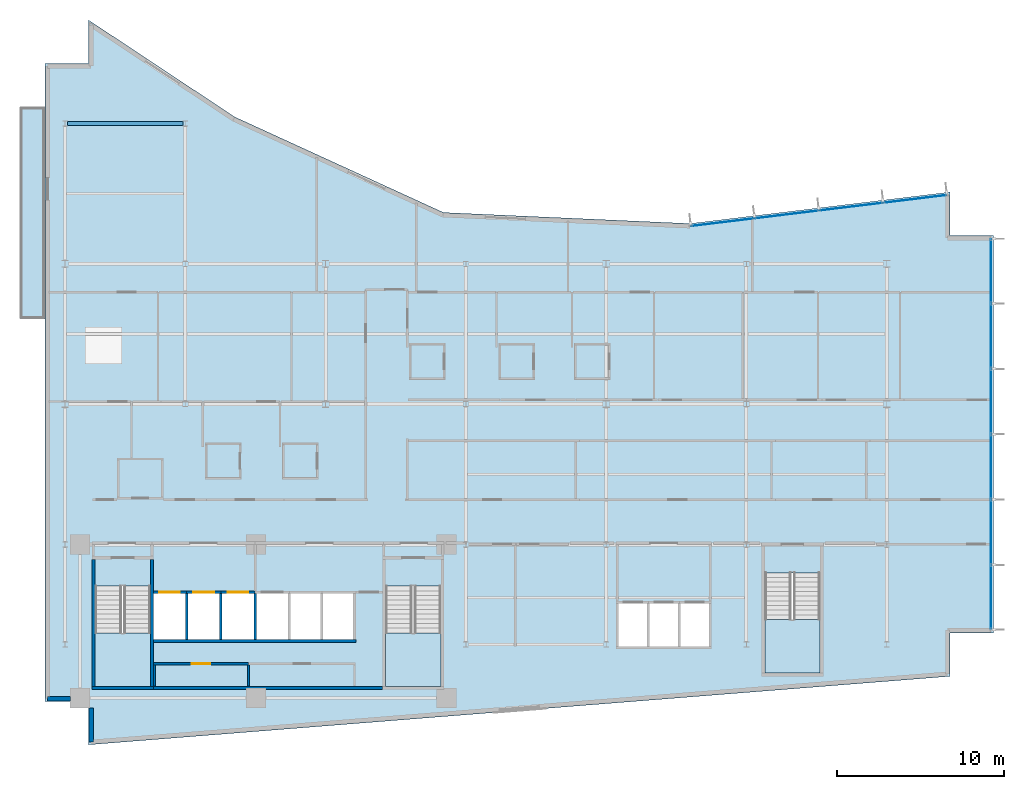
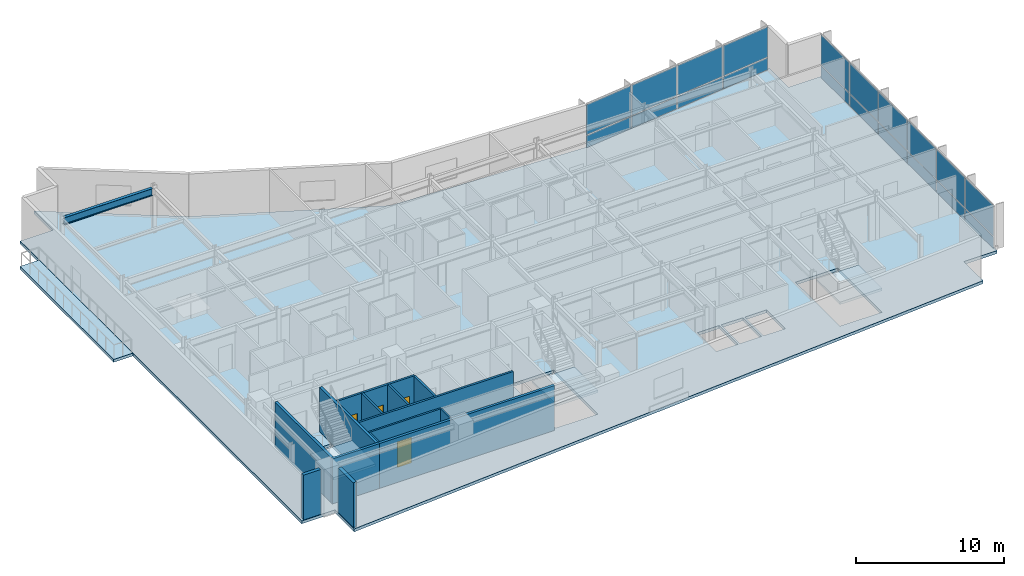
# One storey, part 9 of 19: 20 plates, 16 walls, 5 slabs, 4 doors, 1 beam, 4 openings, 5 elements without a shape of their own.
"""IFC4 building model written with IfcOpenShell, lengths in metres."""

from ifc_helpers import new_model, si_unit, direction, frame, frame_2d, origin, origin_2d, place, context, subcontext, project, spatial, polyline, rectangle, i_section, outline, extrude, material, layer, layer_set, material_profile, profile_set, type_object, element, fill, aggregate, save


model = new_model("IFC4")

# Units and contexts
model_context = context("Model", 3, precision=1e-05, world=origin(), true_north=direction((0.0, 1.0)))
body_context = subcontext(model_context, "Body", "Model", "MODEL_VIEW")
ifc_project = project(units=[si_unit("LENGTHUNIT", "METRE"), si_unit("AREAUNIT", "SQUARE_METRE"), si_unit("VOLUMEUNIT", "CUBIC_METRE"), si_unit("PLANEANGLEUNIT", "RADIAN"), si_unit("MASSUNIT", "GRAM", prefix="KILO")], contexts=[model_context])

# Site, building, storey
site_placement = place(None, origin())
site = spatial("IfcSite", under=ifc_project, at=site_placement, CompositionType="ELEMENT")
building_placement = place(site_placement, origin())
building = spatial("IfcBuilding", under=site, at=building_placement, Name="Varnakote Quay Hospital", CompositionType="ELEMENT")
storey_placement = place(building_placement, frame((0.0, 0.0, 162.60009765625)))
storey = spatial("IfcBuildingStorey", under=building, at=storey_placement, Name="L40", CompositionType="ELEMENT", Elevation=162.60009765625)

# Beam
ifc_material_1 = material(Name="Structural steel AS/NZS 3679.1 Grade 350 L0 (fy 340 MPa)", Category="steel")
ifc_material_profile = material_profile(ifc_material_1, i_section(OverallWidth=0.22802734375, OverallDepth=0.60205078125, WebThickness=0.010498046875, FlangeThickness=0.014892578125, FilletRadius=0.013916015625, at=origin_2d()), Name="610UB101")
ifc_profile_set = profile_set([ifc_material_profile], Name="Structural steel AS/NZS 3679.1 Grade 350 L0 (fy 340 MPa)")
beam_type = type_object("IfcBeamType", Name="BM-STL-610UB101", PredefinedType="BEAM", material=ifc_profile_set)
beam_placement = place(storey_placement, frame((1.353515625, 37.199951171875, 3.408935546875), z_axis=(1.0, 0.0, 0.0), x_axis=(0.0, 1.0, 0.0)))
element("IfcBeam", 1, at=beam_placement, inside=storey, type_object=beam_type, Name="L40 Primary Floor Beam", PredefinedType="BEAM", context=body_context, shape_type="SweptSolid", body=[
    extrude(i_section(OverallWidth=0.22802734375, OverallDepth=0.60205078125, WebThickness=0.010498046875, FlangeThickness=0.014892578125, FilletRadius=0.013916015625, at=origin_2d()), origin(), (0.0, 0.0, 1.0), 6.89306640625),
])

# Curtain wall, plates
ifc_material_2 = material(Name="Anodised aluminium 6063-T6 Bronze", Category="aluminium")
ifc_layer_1 = layer(ifc_material_2, 0.205078125)
ifc_layer_set_1 = layer_set([ifc_layer_1], Name="Anodised aluminium 6063-T6 Bronze")
curtain_wall_type = type_object("IfcCurtainWallType", Name="CW-SYS-3", PredefinedType="NOTDEFINED", material=ifc_layer_set_1)
curtain_wall_1_placement = place(storey_placement, origin())
curtain_wall_1 = element("IfcCurtainWall", 2, at=curtain_wall_1_placement, inside=storey, type_object=curtain_wall_type, Name="L40 Unitised Bronze Curtain Wall 1", PredefinedType="NOTDEFINED")
ifc_material_3 = material(Name="Double-glazed low-E solar glass", Category="glass")
ifc_layer_2 = layer(ifc_material_3, 0.028076171875)
ifc_layer_set_2 = layer_set([ifc_layer_2], Name="Double-glazed low-E solar glass")
plate_type = type_object("IfcPlateType", Name="CW-PNL-GLZ-28", PredefinedType="CURTAIN_PANEL", material=ifc_layer_set_2)
plate_1_placement = place(storey_placement, frame((56.639892578125, 8.83544921875, 0.07470703125), z_axis=(0.0, 0.0, 1.0), x_axis=(0.0, 1.0, 0.0)))
plate_1 = element("IfcPlate", 3, at=plate_1_placement, type_object=plate_type, Name="-3-L40-1 panel 1.1", PredefinedType="CURTAIN_PANEL", context=body_context, shape_type="SweptSolid", body=[
    extrude(rectangle(XDim=3.80078125, YDim=0.028076171875, at=origin_2d()), origin(), (0.0, 0.0, 1.0), 0.987548828125),
])
plate_2_placement = place(storey_placement, frame((56.639892578125, 8.83544921875, 1.137451171875), z_axis=(0.0, 0.0, 1.0), x_axis=(0.0, 1.0, 0.0)))
plate_2 = element("IfcPlate", 4, at=plate_2_placement, type_object=plate_type, Name="-3-L40-1 panel 1.2", PredefinedType="CURTAIN_PANEL", context=body_context, shape_type="SweptSolid", body=[
    extrude(rectangle(XDim=3.80078125, YDim=0.028076171875, at=origin_2d()), origin(), (0.0, 0.0, 1.0), 2.49755859375),
])
plate_3_placement = place(storey_placement, frame((56.639892578125, 12.72998046875, 0.07470703125), z_axis=(0.0, 0.0, 1.0), x_axis=(0.0, 1.0, 0.0)))
plate_3 = element("IfcPlate", 5, at=plate_3_placement, type_object=plate_type, Name="-3-L40-1 panel 2.1", PredefinedType="CURTAIN_PANEL", context=body_context, shape_type="SweptSolid", body=[
    extrude(rectangle(XDim=3.83837890625, YDim=0.028076171875, at=origin_2d()), origin(), (0.0, 0.0, 1.0), 0.987548828125),
])
plate_4_placement = place(storey_placement, frame((56.639892578125, 12.72998046875, 1.137451171875), z_axis=(0.0, 0.0, 1.0), x_axis=(0.0, 1.0, 0.0)))
plate_4 = element("IfcPlate", 6, at=plate_4_placement, type_object=plate_type, Name="-3-L40-1 panel 2.2", PredefinedType="CURTAIN_PANEL", context=body_context, shape_type="SweptSolid", body=[
    extrude(rectangle(XDim=3.83837890625, YDim=0.028076171875, at=origin_2d()), origin(), (0.0, 0.0, 1.0), 2.49755859375),
])
plate_5_placement = place(storey_placement, frame((56.639892578125, 16.643310546875, 0.07470703125), z_axis=(0.0, 0.0, 1.0), x_axis=(0.0, 1.0, 0.0)))
plate_5 = element("IfcPlate", 7, at=plate_5_placement, type_object=plate_type, Name="-3-L40-1 panel 3.1", PredefinedType="CURTAIN_PANEL", context=body_context, shape_type="SweptSolid", body=[
    extrude(rectangle(XDim=3.83837890625, YDim=0.028076171875, at=origin_2d()), origin(), (0.0, 0.0, 1.0), 0.987548828125),
])
plate_6_placement = place(storey_placement, frame((56.639892578125, 16.643310546875, 1.137451171875), z_axis=(0.0, 0.0, 1.0), x_axis=(0.0, 1.0, 0.0)))
plate_6 = element("IfcPlate", 8, at=plate_6_placement, type_object=plate_type, Name="-3-L40-1 panel 3.2", PredefinedType="CURTAIN_PANEL", context=body_context, shape_type="SweptSolid", body=[
    extrude(rectangle(XDim=3.83837890625, YDim=0.028076171875, at=origin_2d()), origin(), (0.0, 0.0, 1.0), 2.49755859375),
])
plate_7_placement = place(storey_placement, frame((56.639892578125, 20.556640625, 0.07470703125), z_axis=(0.0, 0.0, 1.0), x_axis=(0.0, 1.0, 0.0)))
plate_7 = element("IfcPlate", 9, at=plate_7_placement, type_object=plate_type, Name="-3-L40-1 panel 4.1", PredefinedType="CURTAIN_PANEL", context=body_context, shape_type="SweptSolid", body=[
    extrude(rectangle(XDim=3.83837890625, YDim=0.028076171875, at=origin_2d()), origin(), (0.0, 0.0, 1.0), 0.987548828125),
])
plate_8_placement = place(storey_placement, frame((56.639892578125, 20.556640625, 1.137451171875), z_axis=(0.0, 0.0, 1.0), x_axis=(0.0, 1.0, 0.0)))
plate_8 = element("IfcPlate", 10, at=plate_8_placement, type_object=plate_type, Name="-3-L40-1 panel 4.2", PredefinedType="CURTAIN_PANEL", context=body_context, shape_type="SweptSolid", body=[
    extrude(rectangle(XDim=3.83837890625, YDim=0.028076171875, at=origin_2d()), origin(), (0.0, 0.0, 1.0), 2.49755859375),
])
plate_9_placement = place(storey_placement, frame((56.639892578125, 24.469970703125, 0.07470703125), z_axis=(0.0, 0.0, 1.0), x_axis=(0.0, 1.0, 0.0)))
plate_9 = element("IfcPlate", 11, at=plate_9_placement, type_object=plate_type, Name="-3-L40-1 panel 5.1", PredefinedType="CURTAIN_PANEL", context=body_context, shape_type="SweptSolid", body=[
    extrude(rectangle(XDim=3.83837890625, YDim=0.028076171875, at=origin_2d()), origin(), (0.0, 0.0, 1.0), 0.987548828125),
])
plate_10_placement = place(storey_placement, frame((56.639892578125, 24.469970703125, 1.137451171875), z_axis=(0.0, 0.0, 1.0), x_axis=(0.0, 1.0, 0.0)))
plate_10 = element("IfcPlate", 12, at=plate_10_placement, type_object=plate_type, Name="-3-L40-1 panel 5.2", PredefinedType="CURTAIN_PANEL", context=body_context, shape_type="SweptSolid", body=[
    extrude(rectangle(XDim=3.83837890625, YDim=0.028076171875, at=origin_2d()), origin(), (0.0, 0.0, 1.0), 2.49755859375),
])
plate_11_placement = place(storey_placement, frame((56.639892578125, 28.364501953125, 0.07470703125), z_axis=(0.0, 0.0, 1.0), x_axis=(0.0, 1.0, 0.0)))
plate_11 = element("IfcPlate", 13, at=plate_11_placement, type_object=plate_type, Name="-3-L40-1 panel 6.1", PredefinedType="CURTAIN_PANEL", context=body_context, shape_type="SweptSolid", body=[
    extrude(rectangle(XDim=3.80078125, YDim=0.028076171875, at=origin_2d()), origin(), (0.0, 0.0, 1.0), 0.987548828125),
])
plate_12_placement = place(storey_placement, frame((56.639892578125, 28.364501953125, 1.137451171875), z_axis=(0.0, 0.0, 1.0), x_axis=(0.0, 1.0, 0.0)))
plate_12 = element("IfcPlate", 14, at=plate_12_placement, type_object=plate_type, Name="-3-L40-1 panel 6.2", PredefinedType="CURTAIN_PANEL", context=body_context, shape_type="SweptSolid", body=[
    extrude(rectangle(XDim=3.80078125, YDim=0.028076171875, at=origin_2d()), origin(), (0.0, 0.0, 1.0), 2.49755859375),
])
aggregate(curtain_wall_1, [plate_1, plate_2, plate_3, plate_4, plate_5, plate_6, plate_7, plate_8, plate_9, plate_10, plate_11, plate_12])

curtain_wall_2_placement = place(storey_placement, origin())
curtain_wall_2 = element("IfcCurtainWall", 15, at=curtain_wall_2_placement, inside=storey, type_object=curtain_wall_type, Name="L40 Unitised Bronze Curtain Wall 2", PredefinedType="NOTDEFINED")
plate_13_placement = place(storey_placement, frame((52.09521484375, 32.68359375, 0.07470703125), z_axis=(0.0, 0.0, 1.0), x_axis=(-0.992734295067, -0.12032713492, 0.0)))
plate_13 = element("IfcPlate", 16, at=plate_13_placement, type_object=plate_type, Name="-3-L40-2 panel 1.1", PredefinedType="CURTAIN_PANEL", context=body_context, shape_type="SweptSolid", body=[
    extrude(rectangle(XDim=3.76806640625, YDim=0.028076171875, at=origin_2d()), origin(), (0.0, 0.0, 1.0), 0.987548828125),
])
plate_14_placement = place(storey_placement, frame((52.09521484375, 32.68359375, 1.137451171875), z_axis=(0.0, 0.0, 1.0), x_axis=(-0.992734295067, -0.12032713492, 0.0)))
plate_14 = element("IfcPlate", 17, at=plate_14_placement, type_object=plate_type, Name="-3-L40-2 panel 1.2", PredefinedType="CURTAIN_PANEL", context=body_context, shape_type="SweptSolid", body=[
    extrude(rectangle(XDim=3.76806640625, YDim=0.028076171875, at=origin_2d()), origin(), (0.0, 0.0, 1.0), 2.49755859375),
])
plate_15_placement = place(storey_placement, frame((48.26123046875, 32.218994140625, 0.07470703125), z_axis=(0.0, 0.0, 1.0), x_axis=(-0.992734295067, -0.12032713492, 0.0)))
plate_15 = element("IfcPlate", 18, at=plate_15_placement, type_object=plate_type, Name="-3-L40-2 panel 2.1", PredefinedType="CURTAIN_PANEL", context=body_context, shape_type="SweptSolid", body=[
    extrude(rectangle(XDim=3.8056640625, YDim=0.028076171875, at=origin_2d()), origin(), (0.0, 0.0, 1.0), 0.987548828125),
])
plate_16_placement = place(storey_placement, frame((48.26123046875, 32.218994140625, 1.137451171875), z_axis=(0.0, 0.0, 1.0), x_axis=(-0.992734295067, -0.12032713492, 0.0)))
plate_16 = element("IfcPlate", 19, at=plate_16_placement, type_object=plate_type, Name="-3-L40-2 panel 2.2", PredefinedType="CURTAIN_PANEL", context=body_context, shape_type="SweptSolid", body=[
    extrude(rectangle(XDim=3.8056640625, YDim=0.028076171875, at=origin_2d()), origin(), (0.0, 0.0, 1.0), 2.49755859375),
])
plate_17_placement = place(storey_placement, frame((44.40869140625, 31.751953125, 0.07470703125), z_axis=(0.0, 0.0, 1.0), x_axis=(-0.992734295067, -0.12032713492, 0.0)))
plate_17 = element("IfcPlate", 20, at=plate_17_placement, type_object=plate_type, Name="-3-L40-2 panel 3.1", PredefinedType="CURTAIN_PANEL", context=body_context, shape_type="SweptSolid", body=[
    extrude(rectangle(XDim=3.8056640625, YDim=0.028076171875, at=origin_2d()), origin(), (0.0, 0.0, 1.0), 0.987548828125),
])
plate_18_placement = place(storey_placement, frame((44.40869140625, 31.751953125, 1.137451171875), z_axis=(0.0, 0.0, 1.0), x_axis=(-0.992734295067, -0.12032713492, 0.0)))
plate_18 = element("IfcPlate", 21, at=plate_18_placement, type_object=plate_type, Name="-3-L40-2 panel 3.2", PredefinedType="CURTAIN_PANEL", context=body_context, shape_type="SweptSolid", body=[
    extrude(rectangle(XDim=3.8056640625, YDim=0.028076171875, at=origin_2d()), origin(), (0.0, 0.0, 1.0), 2.49755859375),
])
plate_19_placement = place(storey_placement, frame((40.574951171875, 31.287353515625, 0.07470703125), z_axis=(0.0, 0.0, 1.0), x_axis=(-0.992734295067, -0.12032713492, 0.0)))
plate_19 = element("IfcPlate", 22, at=plate_19_placement, type_object=plate_type, Name="-3-L40-2 panel 4.1", PredefinedType="CURTAIN_PANEL", context=body_context, shape_type="SweptSolid", body=[
    extrude(rectangle(XDim=3.76806640625, YDim=0.028076171875, at=origin_2d()), origin(), (0.0, 0.0, 1.0), 0.987548828125),
])
plate_20_placement = place(storey_placement, frame((40.574951171875, 31.287353515625, 1.137451171875), z_axis=(0.0, 0.0, 1.0), x_axis=(-0.992734295067, -0.12032713492, 0.0)))
plate_20 = element("IfcPlate", 23, at=plate_20_placement, type_object=plate_type, Name="-3-L40-2 panel 4.2", PredefinedType="CURTAIN_PANEL", context=body_context, shape_type="SweptSolid", body=[
    extrude(rectangle(XDim=3.76806640625, YDim=0.028076171875, at=origin_2d()), origin(), (0.0, 0.0, 1.0), 2.49755859375),
])
aggregate(curtain_wall_2, [plate_13, plate_14, plate_15, plate_16, plate_17, plate_18, plate_19, plate_20])

# Stair, slab
ifc_material_4 = material(Name="Concrete N40 (f'c 40 MPa)", Category="concrete")
stair_type = type_object("IfcStairType", Name="STR-CORE-1580", PredefinedType="HALF_TURN_STAIR", material=ifc_material_4)
stair_1_placement = place(storey_placement, origin())
stair_1 = element("IfcStair", 24, at=stair_1_placement, inside=storey, type_object=stair_type, Name="L40 Fire-Isolated Exit Stair ST-01", PredefinedType="HALF_TURN_STAIR")
ifc_material_5 = material(Name="Concrete N40 (f'c 40 MPa)", Category="concrete")
ifc_layer_3 = layer(ifc_material_5, 0.199951171875)
ifc_layer_set_3 = layer_set([ifc_layer_3], Name="Concrete N40 (f'c 40 MPa)")
slab_type_1 = type_object("IfcSlabType", Name="SLB-STAIR-LND-200", PredefinedType="LANDING", material=ifc_layer_set_3)
slab_1_placement = place(storey_placement, frame((0.0, 0.0, 1.77490234375)))
slab_1 = element("IfcSlab", 25, at=slab_1_placement, type_object=slab_type_1, Name="ST-01 landing 1", PredefinedType="LANDING", context=body_context, shape_type="SweptSolid", body=[
    extrude(outline(polyline([(3.0, 6.699951171875), (3.0, 3.5), (6.300048828125, 3.5), (6.300048828125, 6.699951171875), (3.0, 6.699951171875)])), origin(), (0.0, 0.0, 1.0), 0.199951171875),
])
aggregate(stair_1, [slab_1])

stair_2_placement = place(storey_placement, origin())
stair_2 = element("IfcStair", 26, at=stair_2_placement, inside=storey, type_object=stair_type, Name="L40 Fire-Isolated Exit Stair ST-02", PredefinedType="HALF_TURN_STAIR")
slab_2_placement = place(storey_placement, frame((0.0, 0.0, 1.77490234375)))
slab_2 = element("IfcSlab", 27, at=slab_2_placement, type_object=slab_type_1, Name="ST-02 landing 1", PredefinedType="LANDING", context=body_context, shape_type="SweptSolid", body=[
    extrude(outline(polyline([(20.39990234375, 6.699951171875), (20.39990234375, 3.5), (23.699951171875, 3.5), (23.699951171875, 6.699951171875), (20.39990234375, 6.699951171875)])), origin(), (0.0, 0.0, 1.0), 0.199951171875),
])
aggregate(stair_2, [slab_2])

stair_3_placement = place(storey_placement, origin())
stair_3 = element("IfcStair", 28, at=stair_3_placement, inside=storey, type_object=stair_type, Name="L40 Fire-Isolated Exit Stair ST-03", PredefinedType="HALF_TURN_STAIR")
slab_3_placement = place(storey_placement, frame((0.0, 0.0, 1.77490234375)))
slab_3 = element("IfcSlab", 29, at=slab_3_placement, type_object=slab_type_1, Name="ST-03 landing 1", PredefinedType="LANDING", context=body_context, shape_type="SweptSolid", body=[
    extrude(outline(polyline([(43.10009765625, 7.5), (43.10009765625, 4.300048828125), (46.39990234375, 4.300048828125), (46.39990234375, 7.5), (43.10009765625, 7.5)])), origin(), (0.0, 0.0, 1.0), 0.199951171875),
])
aggregate(stair_3, [slab_3])

# Slabs
ifc_material_6 = material(Name="Concrete N50 (f'c 50 MPa)", Category="concrete")
ifc_layer_4 = layer(ifc_material_6, 0.239990234375)
ifc_layer_set_4 = layer_set([ifc_layer_4], Name="Concrete N50 (f'c 50 MPa)")
slab_type_2 = type_object("IfcSlabType", Name="SLB-TERR-200", PredefinedType="FLOOR", material=ifc_layer_set_4)
slab_4_placement = place(storey_placement, frame((0.0, 0.0, -0.239990234375)))
element("IfcSlab", 30, at=slab_4_placement, inside=storey, type_object=slab_type_2, Name="L40 Waterfront Healing Terrace Slab", PredefinedType="FLOOR", context=body_context, shape_type="SweptSolid", body=[
    extrude(outline(polyline([(0.00390625, 25.5), (0.00390625, 38.199951171875), (-1.5, 38.199951171875), (-1.5, 25.5), (0.00390625, 25.5)])), origin(), (0.0, 0.0, 1.0), 0.239990234375),
])
ifc_material_7 = material(Name="Concrete N50 (f'c 50 MPa)", Category="concrete")
ifc_layer_5 = layer(ifc_material_7, 0.239990234375)
ifc_layer_set_5 = layer_set([ifc_layer_5], Name="Concrete N50 (f'c 50 MPa)")
slab_type_3 = type_object("IfcSlabType", Name="SLB-WARD-200", PredefinedType="FLOOR", material=ifc_layer_set_5)
slab_5_placement = place(storey_placement, frame((0.0, 0.0, -0.239990234375)))
element("IfcSlab", 31, at=slab_5_placement, inside=storey, type_object=slab_type_3, Name="L40 Primary Floor Slab", PredefinedType="FLOOR", context=body_context, shape_type="SweptSolid", body=[
    extrude(outline(polyline([(0.0, 2.60009765625), (2.60009765625, 2.60009765625), (2.60009765625, 0.0), (54.199951171875, 4.10009765625), (54.199951171875, 6.699951171875), (56.800048828125, 6.699951171875), (56.800048828125, 30.5), (54.199951171875, 30.5), (54.199951171875, 33.10009765625), (38.6240234375, 31.2119140625), (23.85595703125, 31.8740234375), (11.360107421875, 37.595947265625), (2.60009765625, 43.39990234375), (2.60009765625, 40.800048828125), (0.0, 40.800048828125), (0.0, 2.60009765625)]), holes=[polyline([(3.0, 3.5), (6.300048828125, 3.5), (6.300048828125, 9.49951171875), (3.0, 9.49951171875), (3.0, 3.5)]), polyline([(20.39990234375, 3.5), (23.699951171875, 3.5), (23.699951171875, 9.49951171875), (20.39990234375, 9.49951171875), (20.39990234375, 3.5)]), polyline([(43.10009765625, 4.300048828125), (46.39990234375, 4.300048828125), (46.39990234375, 10.29931640625), (43.10009765625, 10.29931640625), (43.10009765625, 4.300048828125)]), polyline([(6.5, 6.300048828125), (8.39990234375, 6.300048828125), (8.39990234375, 9.050048828125), (6.5, 9.050048828125), (6.5, 6.300048828125)]), polyline([(8.550048828125, 6.300048828125), (10.449951171875, 6.300048828125), (10.449951171875, 9.050048828125), (8.550048828125, 9.050048828125), (8.550048828125, 6.300048828125)]), polyline([(10.60009765625, 6.300048828125), (12.5, 6.300048828125), (12.5, 9.050048828125), (10.60009765625, 9.050048828125), (10.60009765625, 6.300048828125)]), polyline([(12.64990234375, 6.300048828125), (14.550048828125, 6.300048828125), (14.550048828125, 9.050048828125), (12.64990234375, 9.050048828125), (12.64990234375, 6.300048828125)]), polyline([(14.699951171875, 6.300048828125), (16.5, 6.300048828125), (16.5, 9.050048828125), (14.699951171875, 9.050048828125), (14.699951171875, 6.300048828125)]), polyline([(16.64990234375, 6.300048828125), (18.449951171875, 6.300048828125), (18.449951171875, 9.050048828125), (16.64990234375, 9.050048828125), (16.64990234375, 6.300048828125)]), polyline([(34.35009765625, 5.89990234375), (36.050048828125, 5.89990234375), (36.050048828125, 8.449951171875), (34.35009765625, 8.449951171875), (34.35009765625, 5.89990234375)]), polyline([(36.199951171875, 5.89990234375), (37.89990234375, 5.89990234375), (37.89990234375, 8.449951171875), (36.199951171875, 8.449951171875), (36.199951171875, 5.89990234375)]), polyline([(38.050048828125, 5.89990234375), (39.75, 5.89990234375), (39.75, 8.449951171875), (38.050048828125, 8.449951171875), (38.050048828125, 5.89990234375)])]), origin(), (0.0, 0.0, 1.0), 0.239990234375),
])

# Walls
ifc_material_8 = material(Name="Concrete N65 (f'c 65 MPa)", Category="concrete")
ifc_layer_6 = layer(ifc_material_8, 0.199951171875)
ifc_layer_set_6 = layer_set([ifc_layer_6], Name="Concrete N65 (f'c 65 MPa)")
wall_type_1 = type_object("IfcWallType", Name="WL-CORE-N65-200", PredefinedType="SHEAR", material=ifc_layer_set_6)
wall_1_placement = place(storey_placement, frame((6.5, 3.39990234375, 0.0), z_axis=(0.0, 0.0, 1.0), x_axis=(1.0, 0.0, 0.0)))
element("IfcWall", 32, at=wall_1_placement, inside=storey, type_object=wall_type_1, Name="L40 Rear Core South Shear Wall", PredefinedType="SHEAR", context=body_context, shape_type="SweptSolid", body=[
    extrude(rectangle(XDim=13.699951171875, YDim=0.199951171875, at=frame_2d((6.85009765625, 0.0))), origin(), (0.0, 0.0, 1.0), 3.7099609375),
])
ifc_material_9 = material(Name="Precast concrete N50 (f'c 50 MPa)", Category="concrete")
ifc_layer_7 = layer(ifc_material_9, 0.260009765625)
ifc_layer_set_7 = layer_set([ifc_layer_7], Name="Precast concrete N50 (f'c 50 MPa)")
wall_type_2 = type_object("IfcWallType", Name="WL-EXT-BRICK-260", PredefinedType="STANDARD", material=ifc_layer_set_7)
wall_2_placement = place(storey_placement, frame((2.760009765625, 2.215087890625, 0.0), z_axis=(0.0, 0.0, 1.0), x_axis=(0.0, -1.0, 0.0)))
element("IfcWall", 33, at=wall_2_placement, inside=storey, type_object=wall_type_2, Name="L40 Brick-Faced Precast Exterior Wall", PredefinedType="STANDARD", context=body_context, shape_type="SweptSolid", body=[
    extrude(rectangle(XDim=2.0419921875, YDim=0.260009765625, at=frame_2d((1.02099609375, 0.0))), origin(), (0.0, 0.0, 1.0), 3.7099609375),
])
wall_3_placement = place(storey_placement, frame((0.159912109375, 2.760009765625, 0.0), z_axis=(0.0, 0.0, 1.0), x_axis=(1.0, 0.0, 0.0)))
element("IfcWall", 34, at=wall_3_placement, inside=storey, type_object=wall_type_2, Name="L40 Brick-Faced Precast Exterior Wall", PredefinedType="STANDARD", context=body_context, shape_type="SweptSolid", body=[
    extrude(rectangle(XDim=1.35498046875, YDim=0.260009765625, at=frame_2d((0.677490234375, 0.0))), origin(), (0.0, 0.0, 1.0), 3.7099609375),
])
ifc_material_10 = material(Name="Concrete N50 (f'c 50 MPa)", Category="concrete")
ifc_layer_8 = layer(ifc_material_10, 0.14990234375)
ifc_layer_set_8 = layer_set([ifc_layer_8], Name="Concrete N50 (f'c 50 MPa)")
wall_type_3 = type_object("IfcWallType", Name="WL-SHAFT-N50-150", PredefinedType="SHEAR", material=ifc_layer_set_8)
for number, where, z_axis, x_axis, name in (
    (35, (8.47509765625, 6.300048828125, 0.0), (0.0, 0.0, 1.0), (0.0, 1.0, 0.0), "L40 LF-FF1 Hoistway Divider Wall"),
    (36, (10.52490234375, 6.300048828125, 0.0), (0.0, 0.0, 1.0), (0.0, 1.0, 0.0), "L40 LF-FF2 Hoistway Divider Wall"),
    (37, (12.574951171875, 6.300048828125, 0.0), (0.0, 0.0, 1.0), (0.0, 1.0, 0.0), "L40 LF-SV1 Hoistway Divider Wall"),
):
    element("IfcWall", number, at=place(storey_placement, frame(where, z_axis=z_axis, x_axis=x_axis)), inside=storey, type_object=wall_type_3, Name=name, PredefinedType="SHEAR", context=body_context, shape_type="SweptSolid", body=[
        extrude(rectangle(XDim=2.75, YDim=0.14990234375, at=frame_2d((1.375, 0.0))), origin(), (0.0, 0.0, 1.0), 3.7099609375),
    ])
ifc_material_11 = material(Name="Concrete N50 (f'c 50 MPa)", Category="concrete")
ifc_layer_9 = layer(ifc_material_11, 0.159912109375)
ifc_layer_set_9 = layer_set([ifc_layer_9], Name="Concrete N50 (f'c 50 MPa)")
wall_type_4 = type_object("IfcWallType", Name="WL-SHAFT-N50-160", PredefinedType="SHEAR", material=ifc_layer_set_9)
wall_4_placement = place(storey_placement, frame((6.5, 6.219970703125, 0.0), z_axis=(0.0, 0.0, 1.0), x_axis=(1.0, 0.0, 0.0)))
element("IfcWall", 38, at=wall_4_placement, inside=storey, type_object=wall_type_4, Name="L40 REAR Lift Bank Back Shear Wall", PredefinedType="SHEAR", context=body_context, shape_type="SweptSolid", body=[
    extrude(rectangle(XDim=12.110107421875, YDim=0.159912109375, at=frame_2d((6.05517578125, 0.0))), origin(), (0.0, 0.0, 1.0), 3.7099609375),
])

# Wall, opening, door
wall_5_placement = place(storey_placement, frame((6.5, 9.1298828125, 0.0), z_axis=(0.0, 0.0, 1.0), x_axis=(1.0, 0.0, 0.0)))
wall_5 = element("IfcWall", 39, at=wall_5_placement, inside=storey, type_object=wall_type_4, Name="L40 LF-FF1 Hoistway Front Wall", PredefinedType="SHEAR", context=body_context, shape_type="SweptSolid", body=[
    extrude(rectangle(XDim=1.97509765625, YDim=0.159912109375, at=frame_2d((0.987548828125, 0.0))), origin(), (0.0, 0.0, 1.0), 3.7099609375),
])
opening_1_placement = place(wall_5_placement, frame((0.324951171875, 0.0, 0.0)))
opening_1 = element("IfcOpeningElement", 40, at=opening_1_placement, cuts=wall_5, Name="Opening LD-FF1-L40", PredefinedType="OPENING", context=body_context, shape_type="SweptSolid", body=[
    extrude(rectangle(XDim=1.25, YDim=2.14990234375, at=frame_2d((0.625, 1.074951171875))), frame((0.0, 0.08984375, 0.0), z_axis=(0.0, -1.0, 0.0), x_axis=(1.0, 0.0, 0.0)), (0.0, 0.0, 1.0), 0.179931640625),
])
ifc_material_12 = material(Name="Stainless steel lift landing sliding door", Category="steel")
door_type_1 = type_object("IfcDoorType", Name="DR-LIFT-LD-1250x2150", OperationType="NOTDEFINED", PredefinedType="DOOR", material=ifc_material_12)
door_1_placement = place(opening_1_placement, origin())
door_1 = element("IfcDoor", 41, at=door_1_placement, inside=storey, type_object=door_type_1, Name="L40 LF-FF1 Lift Landing Sliding Door", OperationType="SLIDING_TO_LEFT", OverallHeight=2.14990234375, OverallWidth=1.25, PredefinedType="DOOR", context=body_context, shape_type="SweptSolid", body=[
    extrude(rectangle(XDim=1.25, YDim=2.14990234375, at=frame_2d((0.625, 1.074951171875))), frame((0.0, 0.02490234375, 0.0), z_axis=(0.0, -1.0, 0.0), x_axis=(1.0, 0.0, 0.0)), (0.0, 0.0, 1.0), 0.050048828125),
])
fill(opening_1, door_1)

wall_6_placement = place(storey_placement, frame((8.47509765625, 9.1298828125, 0.0), z_axis=(0.0, 0.0, 1.0), x_axis=(1.0, 0.0, 0.0)))
wall_6 = element("IfcWall", 42, at=wall_6_placement, inside=storey, type_object=wall_type_4, Name="L40 LF-FF2 Hoistway Front Wall", PredefinedType="SHEAR", context=body_context, shape_type="SweptSolid", body=[
    extrude(rectangle(XDim=2.0498046875, YDim=0.159912109375, at=frame_2d((1.02490234375, 0.0))), origin(), (0.0, 0.0, 1.0), 3.7099609375),
])
opening_2_placement = place(wall_6_placement, frame((0.39990234375, 0.0, 0.0)))
opening_2 = element("IfcOpeningElement", 43, at=opening_2_placement, cuts=wall_6, Name="Opening LD-FF2-L40", PredefinedType="OPENING", context=body_context, shape_type="SweptSolid", body=[
    extrude(rectangle(XDim=1.25, YDim=2.14990234375, at=frame_2d((0.625, 1.074951171875))), frame((0.0, 0.08984375, 0.0), z_axis=(0.0, -1.0, 0.0), x_axis=(1.0, 0.0, 0.0)), (0.0, 0.0, 1.0), 0.179931640625),
])
door_2_placement = place(opening_2_placement, origin())
door_2 = element("IfcDoor", 44, at=door_2_placement, inside=storey, type_object=door_type_1, Name="L40 LF-FF2 Lift Landing Sliding Door", OperationType="SLIDING_TO_LEFT", OverallHeight=2.14990234375, OverallWidth=1.25, PredefinedType="DOOR", context=body_context, shape_type="SweptSolid", body=[
    extrude(rectangle(XDim=1.25, YDim=2.14990234375, at=frame_2d((0.625, 1.074951171875))), frame((0.0, 0.02490234375, 0.0), z_axis=(0.0, -1.0, 0.0), x_axis=(1.0, 0.0, 0.0)), (0.0, 0.0, 1.0), 0.050048828125),
])
fill(opening_2, door_2)

wall_7_placement = place(storey_placement, frame((10.52490234375, 9.1298828125, 0.0), z_axis=(0.0, 0.0, 1.0), x_axis=(1.0, 0.0, 0.0)))
wall_7 = element("IfcWall", 45, at=wall_7_placement, inside=storey, type_object=wall_type_4, Name="L40 LF-SV1 Hoistway Front Wall", PredefinedType="SHEAR", context=body_context, shape_type="SweptSolid", body=[
    extrude(rectangle(XDim=2.050048828125, YDim=0.159912109375, at=frame_2d((1.02490234375, 0.0))), origin(), (0.0, 0.0, 1.0), 3.7099609375),
])
opening_3_placement = place(wall_7_placement, frame((0.39990234375, 0.0, 0.0)))
opening_3 = element("IfcOpeningElement", 46, at=opening_3_placement, cuts=wall_7, Name="Opening LD-SV1-L40", PredefinedType="OPENING", context=body_context, shape_type="SweptSolid", body=[
    extrude(rectangle(XDim=1.25, YDim=2.14990234375, at=frame_2d((0.625, 1.074951171875))), frame((0.0, 0.08984375, 0.0), z_axis=(0.0, -1.0, 0.0), x_axis=(1.0, 0.0, 0.0)), (0.0, 0.0, 1.0), 0.179931640625),
])
door_3_placement = place(opening_3_placement, origin())
door_3 = element("IfcDoor", 47, at=door_3_placement, inside=storey, type_object=door_type_1, Name="L40 LF-SV1 Lift Landing Sliding Door", OperationType="SLIDING_TO_LEFT", OverallHeight=2.14990234375, OverallWidth=1.25, PredefinedType="DOOR", context=body_context, shape_type="SweptSolid", body=[
    extrude(rectangle(XDim=1.25, YDim=2.14990234375, at=frame_2d((0.625, 1.074951171875))), frame((0.0, 0.02490234375, 0.0), z_axis=(0.0, -1.0, 0.0), x_axis=(1.0, 0.0, 0.0)), (0.0, 0.0, 1.0), 0.050048828125),
])
fill(opening_3, door_3)

# Walls
ifc_material_13 = material(Name="Concrete N50 (f'c 50 MPa)", Category="concrete")
ifc_layer_10 = layer(ifc_material_13, 0.199951171875)
ifc_layer_set_10 = layer_set([ifc_layer_10], Name="Concrete N50 (f'c 50 MPa)")
wall_type_5 = type_object("IfcWallType", Name="WL-SHAFT-N50-200", PredefinedType="SHEAR", material=ifc_layer_set_10)
wall_8_placement = place(storey_placement, frame((2.800048828125, 3.39990234375, 0.0), z_axis=(0.0, 0.0, 1.0), x_axis=(1.0, 0.0, 0.0)))
element("IfcWall", 48, at=wall_8_placement, inside=storey, type_object=wall_type_5, Name="L40 Stair ST1 South Shaft Wall", PredefinedType="SHEAR", context=body_context, shape_type="SweptSolid", body=[
    extrude(rectangle(XDim=3.699951171875, YDim=0.199951171875, at=frame_2d((1.85009765625, 0.0))), origin(), (0.0, 0.0, 1.0), 3.7099609375),
])
for number, where, z_axis, x_axis, name in (
    (49, (2.89990234375, 3.5, 0.0), (0.0, 0.0, 1.0), (0.0, 1.0, 0.0), "L40 Stair ST1 West Shaft Wall"),
    (50, (6.39990234375, 3.5, 0.0), (0.0, 0.0, 1.0), (0.0, 1.0, 0.0), "L40 Stair ST1 East Shaft Wall"),
):
    element("IfcWall", number, at=place(storey_placement, frame(where, z_axis=z_axis, x_axis=x_axis)), inside=storey, type_object=wall_type_5, Name=name, PredefinedType="SHEAR", context=body_context, shape_type="SweptSolid", body=[
        extrude(rectangle(XDim=7.60009765625, YDim=0.199951171875, at=frame_2d((3.800048828125, 0.0))), origin(), (0.0, 0.0, 1.0), 3.7099609375),
    ])
ifc_material_14 = material(Name="Smoke-proof clinical partition", Category="gypsum")
ifc_layer_11 = layer(ifc_material_14, 0.1201171875)
ifc_layer_set_11 = layer_set([ifc_layer_11], Name="Smoke-proof clinical partition")
wall_type_6 = type_object("IfcWallType", Name="WL-SMOKE-120", PredefinedType="PARTITIONING", material=ifc_layer_set_11)
for number, where, z_axis, x_axis, name in (
    (51, (6.56005859375, 3.52001953125, 0.0), (0.0, 0.0, 1.0), (0.0, 1.0, 0.0), "L40 Core South Service West Wall"),
    (52, (12.169921875, 3.52001953125, 0.0), (0.0, 0.0, 1.0), (0.0, 1.0, 0.0), "L40 Core South Service Divider"),
):
    element("IfcWall", number, at=place(storey_placement, frame(where, z_axis=z_axis, x_axis=x_axis)), inside=storey, type_object=wall_type_6, Name=name, PredefinedType="PARTITIONING", context=body_context, shape_type="SweptSolid", body=[
        extrude(rectangle(XDim=1.260009765625, YDim=0.1201171875, at=frame_2d((0.6298828125, 0.0))), origin(), (0.0, 0.0, 1.0), 3.7099609375),
    ])

# Wall, opening, door
ifc_material_15 = material(Name="Fire-rated clinical gypsum partition", Category="gypsum")
ifc_layer_12 = layer(ifc_material_15, 0.139892578125)
ifc_layer_set_12 = layer_set([ifc_layer_12], Name="Fire-rated clinical gypsum partition")
wall_type_7 = type_object("IfcWallType", Name="WL-WARD-140", PredefinedType="PARTITIONING", material=ifc_layer_set_12)
wall_9_placement = place(storey_placement, frame((6.5, 4.85009765625, 0.0), z_axis=(0.0, 0.0, 1.0), x_axis=(1.0, 0.0, 0.0)))
wall_9 = element("IfcWall", 53, at=wall_9_placement, inside=storey, type_object=wall_type_7, Name="L40 Core Clean Linen Store North Wall", PredefinedType="PARTITIONING", context=body_context, shape_type="SweptSolid", body=[
    extrude(rectangle(XDim=5.669921875, YDim=0.139892578125, at=frame_2d((2.8349609375, 0.0))), origin(), (0.0, 0.0, 1.0), 3.7099609375),
])
opening_4_placement = place(wall_9_placement, frame((2.284912109375, 0.0, 0.0)))
opening_4 = element("IfcOpeningElement", 54, at=opening_4_placement, cuts=wall_9, Name="Opening D-L40-CR01", PredefinedType="OPENING", context=body_context, shape_type="SweptSolid", body=[
    extrude(rectangle(XDim=1.10009765625, YDim=2.10009765625, at=frame_2d((0.550048828125, 1.050048828125))), frame((0.0, 0.079833984375, 0.0), z_axis=(0.0, -1.0, 0.0), x_axis=(1.0, 0.0, 0.0)), (0.0, 0.0, 1.0), 0.159912109375),
])
ifc_material_16 = material(Name="Acoustic timber clinical consult door", Category="wood")
door_type_2 = type_object("IfcDoorType", Name="DR-CLIN-FD30S-1100x2100", OperationType="NOTDEFINED", PredefinedType="DOOR", material=ifc_material_16)
door_4_placement = place(opening_4_placement, origin())
door_4 = element("IfcDoor", 55, at=door_4_placement, inside=storey, type_object=door_type_2, Name="L40 Core Clean Linen Store Door", OperationType="SINGLE_SWING_LEFT", OverallHeight=2.10009765625, OverallWidth=1.10009765625, PredefinedType="DOOR", context=body_context, shape_type="SweptSolid", body=[
    extrude(rectangle(XDim=1.10009765625, YDim=2.10009765625, at=frame_2d((0.550048828125, 1.050048828125))), frame((0.0, 0.02490234375, 0.0), z_axis=(0.0, -1.0, 0.0), x_axis=(1.0, 0.0, 0.0)), (0.0, 0.0, 1.0), 0.050048828125),
])
fill(opening_4, door_4)

save(model, "model.ifc")
